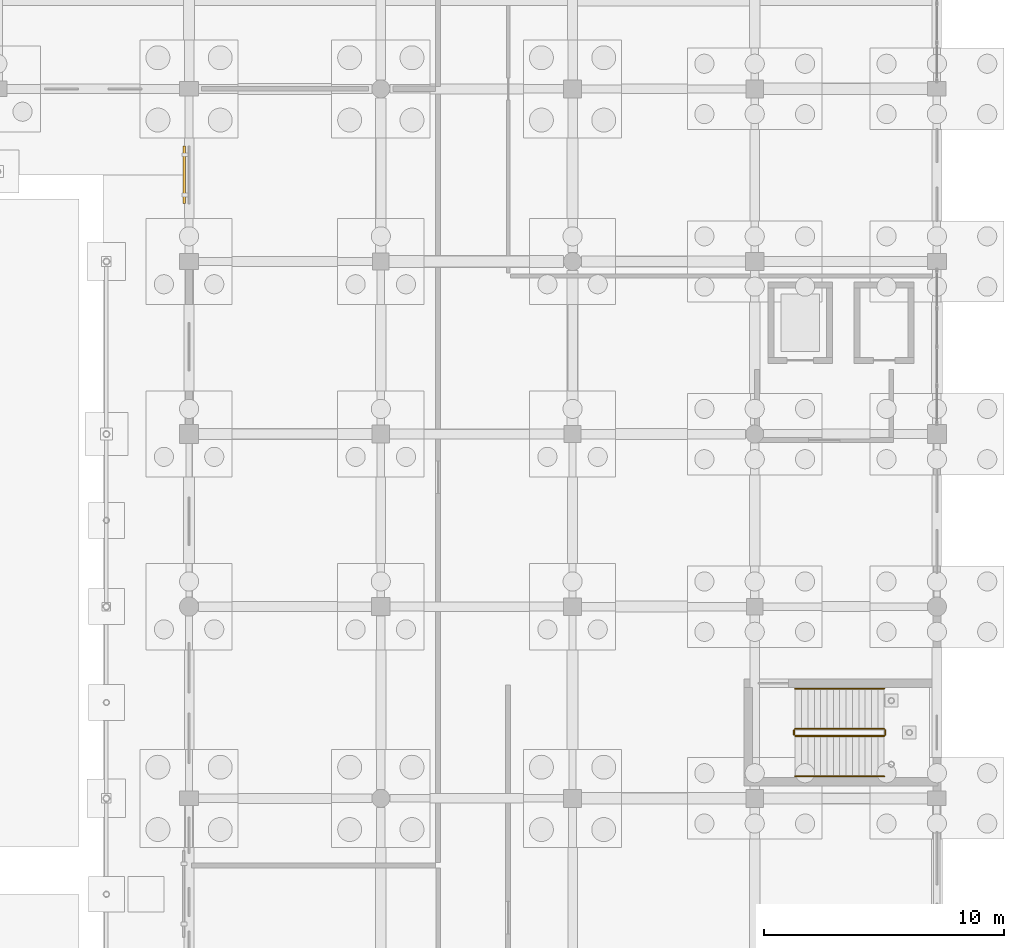
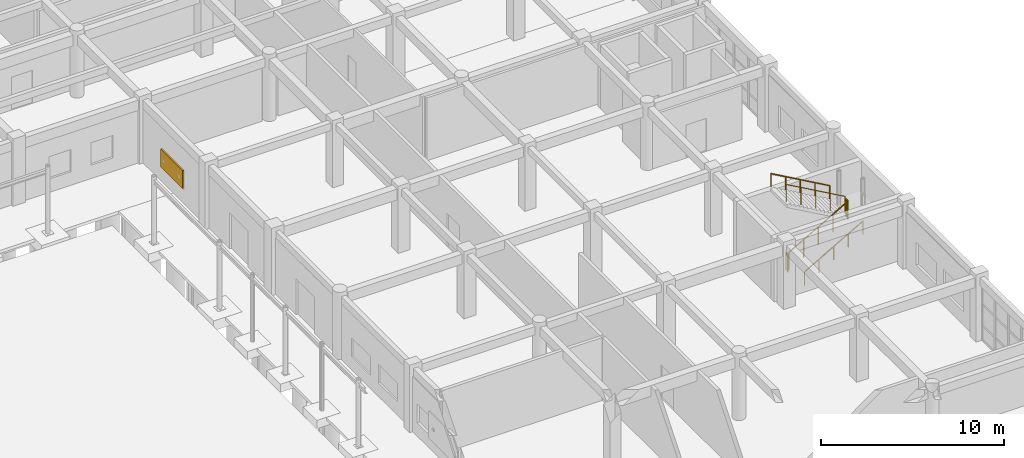
# One storey, part 164 of 166: 6 railings, 1 shading device.
"""IFC4 building model written with IfcOpenShell, lengths in metres."""

from ifc_helpers import new_model, si_unit, direction, frame, origin, origin_2d, place, context, subcontext, project, spatial, rectangle, circle, extrude, material, type_object, element, save


model = new_model("IFC4")

# Units and contexts
model_context = context("Model", 3, precision=1e-05, world=origin(), true_north=direction((0.0, 1.0)))
body_context = subcontext(model_context, "Body", "Model", "MODEL_VIEW")
ifc_project = project(units=[si_unit("LENGTHUNIT", "METRE"), si_unit("AREAUNIT", "SQUARE_METRE"), si_unit("VOLUMEUNIT", "CUBIC_METRE"), si_unit("PLANEANGLEUNIT", "RADIAN"), si_unit("MASSUNIT", "GRAM", prefix="KILO")], contexts=[model_context])

# Site, building, storey
site_placement = place(None, origin())
site = spatial("IfcSite", under=ifc_project, at=site_placement, CompositionType="ELEMENT")
building_placement = place(site_placement, origin())
building = spatial("IfcBuilding", under=site, at=building_placement, Name="Kharva Crest Polytechnic", CompositionType="ELEMENT")
storey_placement = place(building_placement, origin())
storey = spatial("IfcBuildingStorey", under=building, at=storey_placement, Name="L00", CompositionType="ELEMENT", Elevation=0.0)

# Railings
ifc_material_1 = material(Name="Anodised aluminium", Category="aluminium")
railing_type_1 = type_object("IfcRailingType", Name="RL-STAIR-GUARD-1200", PredefinedType="GUARDRAIL", material=ifc_material_1)
railing_1_placement = place(storey_placement, frame((178.090087890625, 73.39990234375, 0.14990234375)))
element("IfcRailing", 1, at=railing_1_placement, inside=storey, type_object=railing_type_1, Name="L00 ST-05 stair guard 1", PredefinedType="GUARDRAIL", context=body_context, shape_type="SweptSolid", body=[
    extrude(circle(Radius=0.02392578125, at=origin_2d()), frame((0.0, 0.0, 1.17578125), z_axis=(0.870244811389, 0.0, 0.492619496418), x_axis=(0.0, 1.0, 0.0)), (0.0, 0.0, 1.0), 4.26318359375),
    extrude(circle(Radius=0.02099609375, at=origin_2d()), origin(), (0.0, 0.0, 1.0), 1.15185546875),
    extrude(circle(Radius=0.02099609375, at=origin_2d()), frame((0.927490234375, 0.0, 0.52490234375)), (0.0, 0.0, 1.0), 1.15185546875),
    extrude(circle(Radius=0.02099609375, at=origin_2d()), frame((1.85498046875, 0.0, 1.050048828125)), (0.0, 0.0, 1.0), 1.15185546875),
    extrude(circle(Radius=0.02099609375, at=origin_2d()), frame((2.782470703125, 0.0, 1.5751953125)), (0.0, 0.0, 1.0), 1.15185546875),
    extrude(circle(Radius=0.02099609375, at=origin_2d()), frame((3.7099609375, 0.0, 2.10009765625)), (0.0, 0.0, 1.0), 1.15185546875),
])
railing_2_placement = place(storey_placement, frame((181.85009765625, 73.449951171875, 2.25)))
element("IfcRailing", 2, at=railing_2_placement, inside=storey, type_object=railing_type_1, Name="L00 ST-05 stair guard 2", PredefinedType="GUARDRAIL", context=body_context, shape_type="SweptSolid", body=[
    extrude(circle(Radius=0.02392578125, at=origin_2d()), frame((0.0, 0.0, 1.17578125), z_axis=(0.0, 1.0, 0.0), x_axis=(-1.0, 0.0, 0.0)), (0.0, 0.0, 1.0), 0.199951171875),
    extrude(circle(Radius=0.02099609375, at=origin_2d()), origin(), (0.0, 0.0, 1.0), 1.15185546875),
    extrude(circle(Radius=0.02099609375, at=origin_2d()), frame((0.0, 0.199951171875, 0.0)), (0.0, 0.0, 1.0), 1.15185546875),
])
railing_3_placement = place(storey_placement, frame((181.800048828125, 73.699951171875, 2.39990234375)))
element("IfcRailing", 3, at=railing_3_placement, inside=storey, type_object=railing_type_1, Name="L00 ST-05 stair guard 3", PredefinedType="GUARDRAIL", context=body_context, shape_type="SweptSolid", body=[
    extrude(circle(Radius=0.02392578125, at=origin_2d()), frame((0.0, 0.0, 1.17578125), z_axis=(-0.870244811389, 0.0, 0.492619496418), x_axis=(0.0, -1.0, 0.0)), (0.0, 0.0, 1.0), 4.26318359375),
    extrude(circle(Radius=0.02099609375, at=origin_2d()), origin(), (0.0, 0.0, 1.0), 1.15185546875),
    extrude(circle(Radius=0.02099609375, at=origin_2d()), frame((-0.927490234375, 0.0, 0.52490234375)), (0.0, 0.0, 1.0), 1.15185546875),
    extrude(circle(Radius=0.02099609375, at=origin_2d()), frame((-1.85498046875, 0.0, 1.050048828125)), (0.0, 0.0, 1.0), 1.15185546875),
    extrude(circle(Radius=0.02099609375, at=origin_2d()), frame((-2.782470703125, 0.0, 1.5751953125)), (0.0, 0.0, 1.0), 1.15185546875),
    extrude(circle(Radius=0.02099609375, at=origin_2d()), frame((-3.7099609375, 0.0, 2.10009765625)), (0.0, 0.0, 1.0), 1.15185546875),
])
railing_4_placement = place(storey_placement, frame((178.0400390625, 73.449951171875, 0.0)))
element("IfcRailing", 4, at=railing_4_placement, inside=storey, type_object=railing_type_1, Name="L00 ST-05 stair guard 4", PredefinedType="GUARDRAIL", context=body_context, shape_type="SweptSolid", body=[
    extrude(circle(Radius=0.02392578125, at=origin_2d()), frame((0.0, 0.0, 1.17578125), z_axis=(0.0, 1.0, 0.0), x_axis=(-1.0, 0.0, 0.0)), (0.0, 0.0, 1.0), 0.199951171875),
    extrude(circle(Radius=0.02099609375, at=origin_2d()), origin(), (0.0, 0.0, 1.0), 1.15185546875),
    extrude(circle(Radius=0.02099609375, at=origin_2d()), frame((0.0, 0.199951171875, 0.0)), (0.0, 0.0, 1.0), 1.15185546875),
])
ifc_material_2 = material(Name="Teak timber", Category="wood")
railing_type_2 = type_object("IfcRailingType", Name="RL-STAIR-HAND-900", PredefinedType="HANDRAIL", material=ifc_material_2)
railing_5_placement = place(storey_placement, frame((178.090087890625, 71.719970703125, 0.14990234375)))
element("IfcRailing", 5, at=railing_5_placement, inside=storey, type_object=railing_type_2, Name="L00 ST-05 stair handrail 1", PredefinedType="HANDRAIL", context=body_context, shape_type="SweptSolid", body=[
    extrude(circle(Radius=0.02392578125, at=origin_2d()), frame((0.0, 0.0, 0.8759765625), z_axis=(0.870244811389, 0.0, 0.492619496418), x_axis=(0.0, 1.0, 0.0)), (0.0, 0.0, 1.0), 4.26318359375),
    extrude(circle(Radius=0.02099609375, at=origin_2d()), origin(), (0.0, 0.0, 1.0), 0.851806640625),
    extrude(circle(Radius=0.02099609375, at=origin_2d()), frame((0.927490234375, 0.0, 0.52490234375)), (0.0, 0.0, 1.0), 0.851806640625),
    extrude(circle(Radius=0.02099609375, at=origin_2d()), frame((1.85498046875, 0.0, 1.050048828125)), (0.0, 0.0, 1.0), 0.851806640625),
    extrude(circle(Radius=0.02099609375, at=origin_2d()), frame((2.782470703125, 0.0, 1.5751953125)), (0.0, 0.0, 1.0), 0.851806640625),
    extrude(circle(Radius=0.02099609375, at=origin_2d()), frame((3.7099609375, 0.0, 2.10009765625)), (0.0, 0.0, 1.0), 0.851806640625),
])
railing_6_placement = place(storey_placement, frame((181.800048828125, 75.3798828125, 2.39990234375)))
element("IfcRailing", 6, at=railing_6_placement, inside=storey, type_object=railing_type_2, Name="L00 ST-05 stair handrail 2", PredefinedType="HANDRAIL", context=body_context, shape_type="SweptSolid", body=[
    extrude(circle(Radius=0.02392578125, at=origin_2d()), frame((0.0, 0.0, 0.8759765625), z_axis=(-0.870244811389, 0.0, 0.492619496418), x_axis=(0.0, -1.0, 0.0)), (0.0, 0.0, 1.0), 4.26318359375),
    extrude(circle(Radius=0.02099609375, at=origin_2d()), origin(), (0.0, 0.0, 1.0), 0.851806640625),
    extrude(circle(Radius=0.02099609375, at=origin_2d()), frame((-0.927490234375, 0.0, 0.52490234375)), (0.0, 0.0, 1.0), 0.851806640625),
    extrude(circle(Radius=0.02099609375, at=origin_2d()), frame((-1.85498046875, 0.0, 1.050048828125)), (0.0, 0.0, 1.0), 0.851806640625),
    extrude(circle(Radius=0.02099609375, at=origin_2d()), frame((-2.782470703125, 0.0, 1.5751953125)), (0.0, 0.0, 1.0), 0.851806640625),
    extrude(circle(Radius=0.02099609375, at=origin_2d()), frame((-3.7099609375, 0.0, 2.10009765625)), (0.0, 0.0, 1.0), 0.851806640625),
])

# Shading device
ifc_material_3 = material(Name="Perforated terracotta", Category="masonry")
shading_device_type = type_object("IfcShadingDeviceType", Name="SHD-LOUVRE-2400X1200", PredefinedType="USERDEFINED", material=ifc_material_3)
shading_device_placement = place(storey_placement, frame((152.599609375, 96.8125, 1.0498046875), z_axis=(0.0, 0.0, 1.0), x_axis=(0.0, 1.0, 0.0)))
element("IfcShadingDevice", 7, at=shading_device_placement, inside=storey, type_object=shading_device_type, Name="L00 Terracotta Jaali Solar Screen 20", ObjectType="LOUVRE", PredefinedType="USERDEFINED", context=body_context, shape_type="SweptSolid", body=[
    extrude(rectangle(XDim=2.39990234375, YDim=0.10009765625, at=origin_2d()), origin(), (0.0, 0.0, 1.0), 1.199951171875),
])

save(model, "model.ifc")
